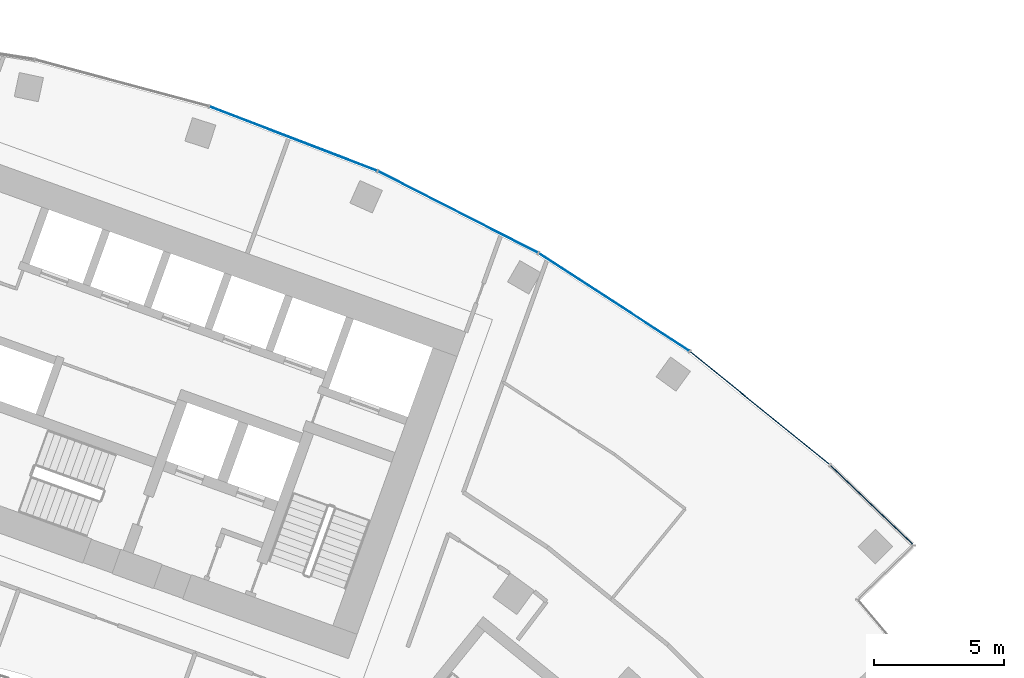
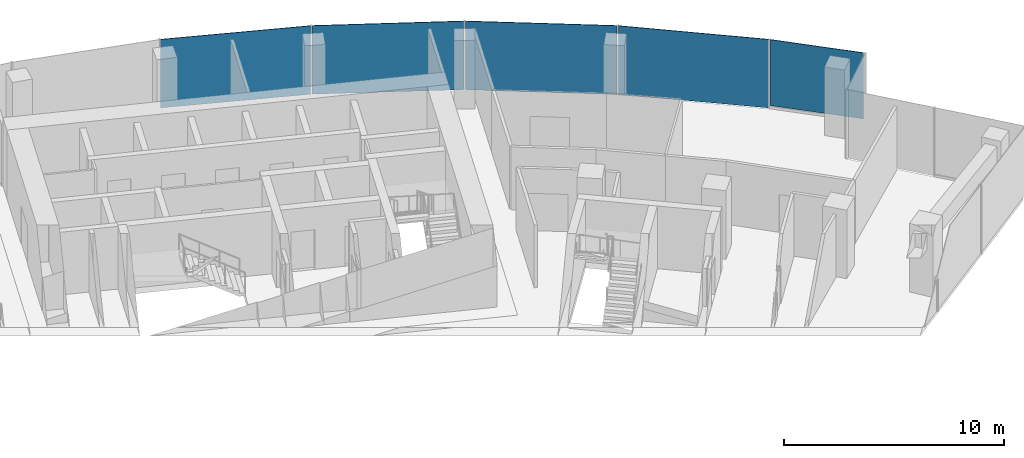
# One storey, part 11 of 19: 5 plates, 1 element without a shape of its own.
"""IFC4 building model written with IfcOpenShell, lengths in metres."""

from ifc_helpers import new_model, si_unit, direction, frame, origin, origin_2d, place, context, subcontext, project, spatial, rectangle, extrude, material, layer, layer_set, type_object, element, aggregate, save


model = new_model("IFC4")

# Units and contexts
model_context = context("Model", 3, precision=1e-05, world=origin(), true_north=direction((0.0, 1.0)))
body_context = subcontext(model_context, "Body", "Model", "MODEL_VIEW")
ifc_project = project(units=[si_unit("LENGTHUNIT", "METRE"), si_unit("AREAUNIT", "SQUARE_METRE"), si_unit("VOLUMEUNIT", "CUBIC_METRE"), si_unit("PLANEANGLEUNIT", "RADIAN"), si_unit("MASSUNIT", "GRAM", prefix="KILO")], contexts=[model_context])

# Site, building, storey
site_placement = place(None, origin())
site = spatial("IfcSite", under=ifc_project, at=site_placement, CompositionType="ELEMENT")
building_placement = place(site_placement, origin())
building = spatial("IfcBuilding", under=site, at=building_placement, Name="Stone Belt Terrace Tower", CompositionType="ELEMENT")
storey_placement = place(building_placement, frame((0.0, 0.0, 204.800048828125)))
storey = spatial("IfcBuildingStorey", under=building, at=storey_placement, Name="L49", CompositionType="ELEMENT", Elevation=204.800048828125)

# Curtain wall, plates
ifc_material_1 = material(Name="Aluminium 6063-T6 anodised frame", Category="aluminium")
ifc_layer_1 = layer(ifc_material_1, 0.14990234375)
ifc_layer_set_1 = layer_set([ifc_layer_1], Name="CW-A unitised convex-face curtain wall")
curtain_wall_type = type_object("IfcCurtainWallType", Name="CW-A unitised convex-face curtain wall", PredefinedType="NOTDEFINED", material=ifc_layer_set_1)
curtain_wall_placement = place(storey_placement, origin())
curtain_wall = element("IfcCurtainWall", 1, at=curtain_wall_placement, inside=storey, type_object=curtain_wall_type, Name="CW-A convex face L49", PredefinedType="NOTDEFINED")
ifc_material_2 = material(Name="Clear double glazed unit")
ifc_layer_2 = layer(ifc_material_2, 0.031982421875)
ifc_layer_set_2 = layer_set([ifc_layer_2], Name="CW-A glass panel 32")
plate_type = type_object("IfcPlateType", Name="CW-A glass panel 32", PredefinedType="CURTAIN_PANEL", material=ifc_layer_set_2)
plate_1_placement = place(storey_placement, frame((46.14599609375, 47.936767578125, 0.14013671875), z_axis=(0.0, 0.0, 1.0), x_axis=(-0.720604393579, 0.693346455933, 0.0)))
plate_1 = element("IfcPlate", 2, at=plate_1_placement, type_object=plate_type, Name="CW-A panel 1.1", PredefinedType="CURTAIN_PANEL", context=body_context, shape_type="SweptSolid", body=[
    extrude(rectangle(XDim=4.372314453125, YDim=0.031982421875, at=origin_2d()), origin(), (0.0, 0.0, 1.0), 3.659912109375),
])
plate_2_placement = place(storey_placement, frame((41.839599609375, 51.667724609375, 0.0), z_axis=(0.0, 0.0, 1.0), x_axis=(-0.777145961457, 0.62932039105, 0.0)))
plate_2 = element("IfcPlate", 3, at=plate_2_placement, type_object=plate_type, Name="CW-A panel 2.1", PredefinedType="CURTAIN_PANEL", context=body_context, shape_type="SweptSolid", body=[
    extrude(rectangle(XDim=6.90087890625, YDim=0.031982421875, at=origin_2d()), origin(), (0.0, 0.0, 1.0), 3.800048828125),
])
plate_3_placement = place(storey_placement, frame((36.209716796875, 55.758056640625, 0.0), z_axis=(0.0, 0.0, 1.0), x_axis=(-0.838670567945, 0.544639035015, 0.0)))
plate_3 = element("IfcPlate", 4, at=plate_3_placement, type_object=plate_type, Name="CW-A panel 3.1", PredefinedType="CURTAIN_PANEL", context=body_context, shape_type="SweptSolid", body=[
    extrude(rectangle(XDim=6.90087890625, YDim=0.031982421875, at=origin_2d()), origin(), (0.0, 0.0, 1.0), 3.800048828125),
])
plate_4_placement = place(storey_placement, frame((30.18310546875, 59.237548828125, 0.0), z_axis=(0.0, 0.0, 1.0), x_axis=(-0.891006524188, 0.45399049974, 0.0)))
plate_4 = element("IfcPlate", 5, at=plate_4_placement, type_object=plate_type, Name="CW-A panel 4.1", PredefinedType="CURTAIN_PANEL", context=body_context, shape_type="SweptSolid", body=[
    extrude(rectangle(XDim=6.90087890625, YDim=0.031982421875, at=origin_2d()), origin(), (0.0, 0.0, 1.0), 3.800048828125),
])
plate_5_placement = place(storey_placement, frame((23.82568359375, 62.068115234375, 0.0), z_axis=(0.0, 0.0, 1.0), x_axis=(-0.933580426497, 0.358367949545, 0.0)))
plate_5 = element("IfcPlate", 6, at=plate_5_placement, type_object=plate_type, Name="CW-A panel 5.1", PredefinedType="CURTAIN_PANEL", context=body_context, shape_type="SweptSolid", body=[
    extrude(rectangle(XDim=6.90087890625, YDim=0.031982421875, at=origin_2d()), origin(), (0.0, 0.0, 1.0), 3.800048828125),
])
aggregate(curtain_wall, [plate_1, plate_2, plate_3, plate_4, plate_5])

save(model, "model.ifc")
